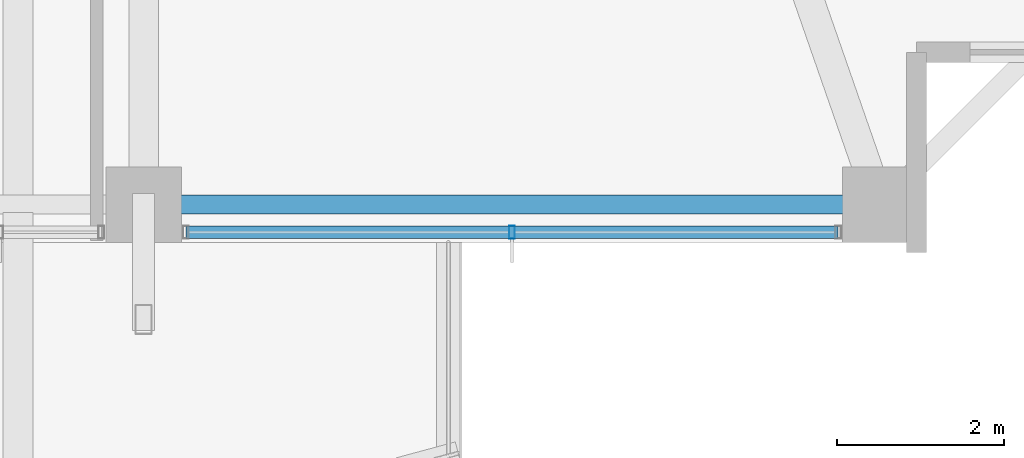
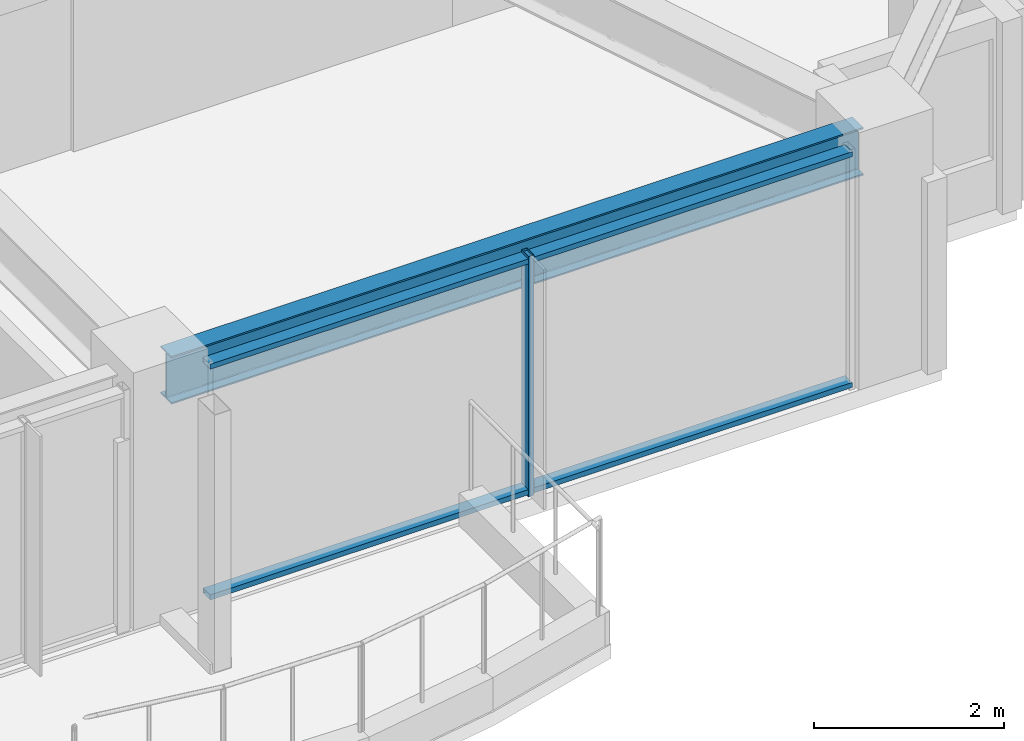
# One storey, part 6 of 37: 3 members, 1 beam, 1 element without a shape of its own.
"""IFC4 building model written with IfcOpenShell, lengths in metres."""

from ifc_helpers import new_model, si_unit, direction, frame, origin, origin_2d, place, context, subcontext, project, spatial, hollow_rectangle, i_section, extrude, material, material_profile, profile_set, type_object, element, aggregate, save


model = new_model("IFC4")

# Units and contexts
model_context = context("Model", 3, precision=1e-05, world=origin(), true_north=direction((0.0, 1.0)))
body_context = subcontext(model_context, "Body", "Model", "MODEL_VIEW")
ifc_project = project(units=[si_unit("LENGTHUNIT", "METRE"), si_unit("AREAUNIT", "SQUARE_METRE"), si_unit("VOLUMEUNIT", "CUBIC_METRE"), si_unit("PLANEANGLEUNIT", "RADIAN"), si_unit("MASSUNIT", "GRAM", prefix="KILO")], contexts=[model_context])

# Site, building, storey
site_placement = place(None, origin())
site = spatial("IfcSite", under=ifc_project, at=site_placement, CompositionType="ELEMENT")
building_placement = place(site_placement, origin())
building = spatial("IfcBuilding", under=site, at=building_placement, Name="Kolvaren Belvedere", CompositionType="ELEMENT")
storey_placement = place(building_placement, frame((0.0, 0.0, 180.0)))
storey = spatial("IfcBuildingStorey", under=building, at=storey_placement, Name="L52", CompositionType="ELEMENT", Elevation=180.0)

# Beam
ifc_material_1 = material(Name="Structural steel ASTM A992 Grade 50", Category="steel")
ifc_material_profile_1 = material_profile(ifc_material_1, i_section(OverallWidth=0.22900390625, OverallDepth=0.612060546875, WebThickness=0.011962890625, FlangeThickness=0.01953125, FilletRadius=0.01806640625, at=origin_2d()), Name="W24X84")
ifc_profile_set_1 = profile_set([ifc_material_profile_1], Name="Structural steel ASTM A992 Grade 50")
beam_type = type_object("IfcBeamType", Name="BM-SPAN-W24X84", PredefinedType="SPANDREL", material=ifc_profile_set_1)
beam_placement = place(storey_placement, frame((4.802490234375, -19.949951171875, 2.77392578125), z_axis=(1.0, 0.0, 0.0), x_axis=(0.0, 1.0, 0.0)))
element("IfcBeam", 1, at=beam_placement, inside=storey, type_object=beam_type, Name="L52 Perimeter Spandrel S3-S4", PredefinedType="SPANDREL", context=body_context, shape_type="SweptSolid", body=[
    extrude(i_section(OverallWidth=0.22900390625, OverallDepth=0.612060546875, WebThickness=0.011962890625, FlangeThickness=0.01953125, FilletRadius=0.01806640625, at=origin_2d()), origin(), (0.0, 0.0, 1.0), 8.39501953125),
])

# Curtain wall, members
ifc_material_2 = material(Name="Anodised pale-metal aluminium AA 6063-T6", Category="aluminium")
curtain_wall_type = type_object("IfcCurtainWallType", Name="CW-Z5-HIGH", PredefinedType="NOTDEFINED", material=ifc_material_2)
curtain_wall_placement = place(storey_placement, origin())
curtain_wall = element("IfcCurtainWall", 2, at=curtain_wall_placement, inside=storey, type_object=curtain_wall_type, Name="L52 Unitised Curtain Wall FCW-L52-S1-B1", PredefinedType="NOTDEFINED")
ifc_material_3 = material(Name="Anodised pale-metal aluminium AA 6063-T6", Category="aluminium")
ifc_material_profile_2 = material_profile(ifc_material_3, hollow_rectangle(XDim=0.070068359375, YDim=0.14990234375, WallThickness=0.004150390625, at=origin_2d()), Name="ALU-MUL-150X70")
ifc_profile_set_2 = profile_set([ifc_material_profile_2], Name="Anodised pale-metal aluminium AA 6063-T6")
member_type_1 = type_object("IfcMemberType", Name="CW-MUL-150", PredefinedType="MULLION", material=ifc_profile_set_2)
member_1_placement = place(storey_placement, frame((9.0, -20.280029296875, 0.0), z_axis=(0.0, 0.0, 1.0), x_axis=(1.0, 0.0, 0.0)))
member_1 = element("IfcMember", 3, at=member_1_placement, type_object=member_type_1, Name="FCW-L52-S1-B1 Unitised Mullion 2", PredefinedType="MULLION", context=body_context, shape_type="SweptSolid", body=[
    extrude(hollow_rectangle(XDim=0.070068359375, YDim=0.14990234375, WallThickness=0.004150390625, at=origin_2d()), origin(), (0.0, 0.0, 1.0), 3.080078125),
])
ifc_material_4 = material(Name="Anodised pale-metal aluminium AA 6063-T6", Category="aluminium")
ifc_material_profile_3 = material_profile(ifc_material_4, hollow_rectangle(XDim=0.06494140625, YDim=0.14990234375, WallThickness=0.00390625, at=origin_2d()), Name="ALU-TRN-150X65")
ifc_profile_set_3 = profile_set([ifc_material_profile_3], Name="Anodised pale-metal aluminium AA 6063-T6")
member_type_2 = type_object("IfcMemberType", Name="CW-TRN-150", PredefinedType="USERDEFINED", material=ifc_profile_set_3)
member_2_placement = place(storey_placement, frame((12.89501953125, -20.280029296875, 0.06005859375), z_axis=(-1.0, 0.0, 0.0), x_axis=(0.0, 0.0, 1.0)))
member_2 = element("IfcMember", 4, at=member_2_placement, type_object=member_type_2, Name="FCW-L52-S1-B1 Sill Transom", ObjectType="TRANSOM", PredefinedType="USERDEFINED", context=body_context, shape_type="SweptSolid", body=[
    extrude(hollow_rectangle(XDim=0.06494140625, YDim=0.14990234375, WallThickness=0.00390625, at=origin_2d()), origin(), (0.0, 0.0, 1.0), 7.7900390625),
])
member_3_placement = place(storey_placement, frame((12.89501953125, -20.280029296875, 3.02001953125), z_axis=(-1.0, 0.0, 0.0), x_axis=(0.0, 0.0, 1.0)))
member_3 = element("IfcMember", 5, at=member_3_placement, type_object=member_type_2, Name="FCW-L52-S1-B1 Head Transom", ObjectType="TRANSOM", PredefinedType="USERDEFINED", context=body_context, shape_type="SweptSolid", body=[
    extrude(hollow_rectangle(XDim=0.06494140625, YDim=0.14990234375, WallThickness=0.00390625, at=origin_2d()), origin(), (0.0, 0.0, 1.0), 7.7900390625),
])
aggregate(curtain_wall, [member_1, member_2, member_3])

save(model, "model.ifc")
